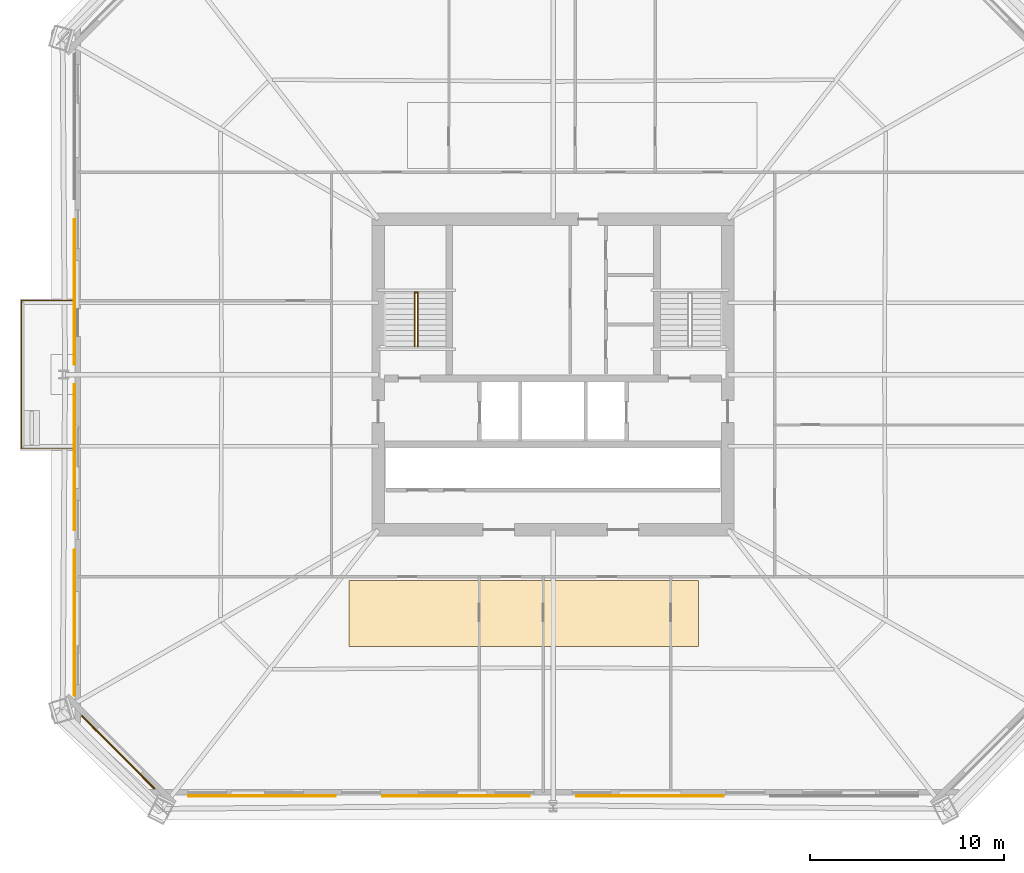
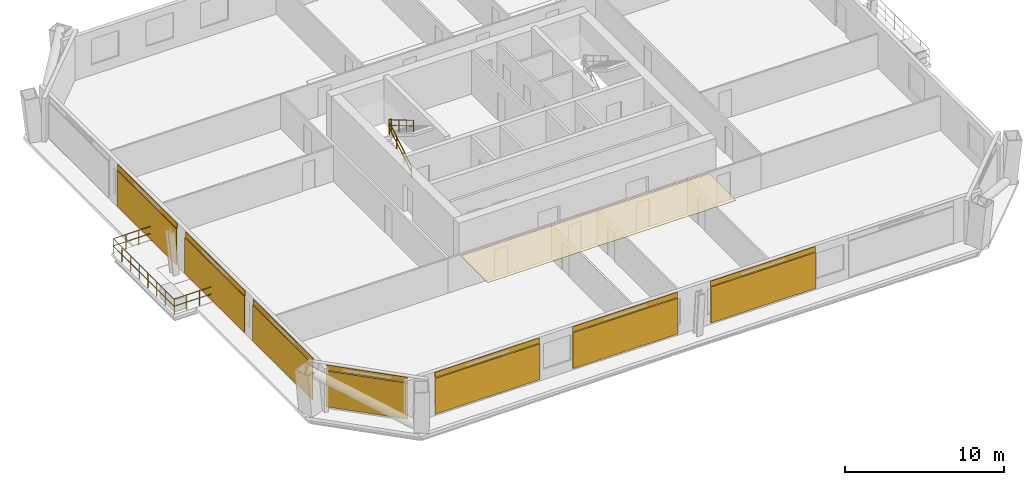
# One storey, part 9 of 11: 8 coverings, 7 shading devices, 4 railings.
"""IFC4 building model written with IfcOpenShell, lengths in metres."""

from ifc_helpers import new_model, si_unit, direction, frame, origin, origin_2d, place, context, subcontext, project, spatial, polyline, rectangle, circle, outline, extrude, material, layer, layer_set, type_object, element, save


model = new_model("IFC4")

# Units and contexts
model_context = context("Model", 3, precision=1e-05, world=origin(), true_north=direction((0.0, 1.0)))
body_context = subcontext(model_context, "Body", "Model", "MODEL_VIEW")
ifc_project = project(units=[si_unit("LENGTHUNIT", "METRE"), si_unit("AREAUNIT", "SQUARE_METRE"), si_unit("VOLUMEUNIT", "CUBIC_METRE"), si_unit("PLANEANGLEUNIT", "RADIAN"), si_unit("MASSUNIT", "GRAM", prefix="KILO")], contexts=[model_context])

# Site, building, storey
site_placement = place(None, origin())
site = spatial("IfcSite", under=ifc_project, at=site_placement, CompositionType="ELEMENT")
building_placement = place(site_placement, origin())
building = spatial("IfcBuilding", under=site, at=building_placement, Name="Caelvoria Tower", CompositionType="ELEMENT")
storey_placement = place(building_placement, frame((0.0, 0.0, 67.60009765625)))
storey = spatial("IfcBuildingStorey", under=building, at=storey_placement, Name="L17", CompositionType="ELEMENT", Elevation=67.60009765625)

# Railing
ifc_material_1 = material(Name="Bronze Anodised Aluminium and Stainless Steel", Category="steel")
railing_type_1 = type_object("IfcRailingType", Name="Exterior Terrace and Balcony Guardrail 1150", PredefinedType="GUARDRAIL", material=ifc_material_1)
railing_1_placement = place(storey_placement, frame((21.389892578125, 28.179931640625, 0.0)))
element("IfcRailing", 1, at=railing_1_placement, inside=storey, type_object=railing_type_1, Name="Tree Balcony Guardrail TB-L17-W", PredefinedType="GUARDRAIL", context=body_context, shape_type="SweptSolid", body=[
    extrude(circle(Radius=0.02392578125, at=origin_2d()), frame((0.0, 0.0, 1.1259765625), z_axis=(-1.0, 0.0, 0.0), x_axis=(0.0, -1.0, 0.0)), (0.0, 0.0, 1.0), 2.760009765625),
    extrude(circle(Radius=0.02392578125, at=origin_2d()), frame((0.0, 0.0, 0.574951171875), z_axis=(-1.0, 0.0, 0.0), x_axis=(0.0, -1.0, 0.0)), (0.0, 0.0, 1.0), 2.760009765625),
    extrude(circle(Radius=0.02392578125, at=origin_2d()), frame((-2.760009765625, 0.0, 1.1259765625), z_axis=(0.0, 1.0, 0.0), x_axis=(-1.0, 0.0, 0.0)), (0.0, 0.0, 1.0), 7.64013671875),
    extrude(circle(Radius=0.02392578125, at=origin_2d()), frame((-2.760009765625, 0.0, 0.574951171875), z_axis=(0.0, 1.0, 0.0), x_axis=(-1.0, 0.0, 0.0)), (0.0, 0.0, 1.0), 7.64013671875),
    extrude(circle(Radius=0.02392578125, at=origin_2d()), frame((-2.760009765625, 7.64013671875, 1.1259765625), z_axis=(1.0, 0.0, 0.0), x_axis=(0.0, 1.0, 0.0)), (0.0, 0.0, 1.0), 2.760009765625),
    extrude(circle(Radius=0.02392578125, at=origin_2d()), frame((-2.760009765625, 7.64013671875, 0.574951171875), z_axis=(1.0, 0.0, 0.0), x_axis=(0.0, 1.0, 0.0)), (0.0, 0.0, 1.0), 2.760009765625),
    extrude(circle(Radius=0.02099609375, at=origin_2d()), origin(), (0.0, 0.0, 1.0), 1.101806640625),
    extrude(circle(Radius=0.02099609375, at=origin_2d()), frame((-0.919921875, 0.0, 0.0)), (0.0, 0.0, 1.0), 1.101806640625),
    extrude(circle(Radius=0.02099609375, at=origin_2d()), frame((-1.840087890625, 0.0, 0.0)), (0.0, 0.0, 1.0), 1.101806640625),
    extrude(circle(Radius=0.02099609375, at=origin_2d()), frame((-2.760009765625, 0.0, 0.0)), (0.0, 0.0, 1.0), 1.101806640625),
    extrude(circle(Radius=0.02099609375, at=origin_2d()), frame((-2.760009765625, 1.091552734375, 0.0)), (0.0, 0.0, 1.0), 1.101806640625),
    extrude(circle(Radius=0.02099609375, at=origin_2d()), frame((-2.760009765625, 2.182861328125, 0.0)), (0.0, 0.0, 1.0), 1.101806640625),
    extrude(circle(Radius=0.02099609375, at=origin_2d()), frame((-2.760009765625, 3.2744140625, 0.0)), (0.0, 0.0, 1.0), 1.101806640625),
    extrude(circle(Radius=0.02099609375, at=origin_2d()), frame((-2.760009765625, 4.36572265625, 0.0)), (0.0, 0.0, 1.0), 1.101806640625),
    extrude(circle(Radius=0.02099609375, at=origin_2d()), frame((-2.760009765625, 5.457275390625, 0.0)), (0.0, 0.0, 1.0), 1.101806640625),
    extrude(circle(Radius=0.02099609375, at=origin_2d()), frame((-2.760009765625, 6.548583984375, 0.0)), (0.0, 0.0, 1.0), 1.101806640625),
    extrude(circle(Radius=0.02099609375, at=origin_2d()), frame((-2.760009765625, 7.64013671875, 0.0)), (0.0, 0.0, 1.0), 1.101806640625),
    extrude(circle(Radius=0.02099609375, at=origin_2d()), frame((-1.840087890625, 7.64013671875, 0.0)), (0.0, 0.0, 1.0), 1.101806640625),
    extrude(circle(Radius=0.02099609375, at=origin_2d()), frame((-0.919921875, 7.64013671875, 0.0)), (0.0, 0.0, 1.0), 1.101806640625),
    extrude(circle(Radius=0.02099609375, at=origin_2d()), frame((0.0, 7.64013671875, 0.0)), (0.0, 0.0, 1.0), 1.101806640625),
])

# Coverings
ifc_material_2 = material(Name="Acoustic Mineral Fibre Tile", Category="gypsum")
ifc_layer_1 = layer(ifc_material_2, 0.02490234375, Name="Acoustic Mineral Fibre Tile")
ifc_layer_set_1 = layer_set([ifc_layer_1], Name="Mineral-Fibre Acoustic Suspended Ceiling 25 - Acoustic Mineral Fibre Tile")
covering_type_1 = type_object("IfcCoveringType", Name="Mineral-Fibre Acoustic Suspended Ceiling 25", PredefinedType="CEILING", material=ifc_layer_set_1)
covering_1_placement = place(storey_placement, frame((0.0, 0.0, 2.635009765625)))
element("IfcCovering", 2, at=covering_1_placement, inside=storey, type_object=covering_type_1, Name="Suspended Acoustic Ceiling L17", PredefinedType="CEILING", context=body_context, shape_type="SweptSolid", body=[
    extrude(outline(polyline([(35.5, 18.0), (53.5, 18.0), (53.5, 21.39990234375), (35.5, 21.39990234375), (35.5, 18.0)])), origin(), (0.0, 0.0, 1.0), 0.02490234375),
])
ifc_material_3 = material(Name="Perforated Architectural Bronze Cladding Screen", Category="bronze")
ifc_layer_2 = layer(ifc_material_3, 0.0400390625, Name="Perforated Architectural Bronze Cladding Screen")
ifc_layer_set_2 = layer_set([ifc_layer_2], Name="Perforated Bronze Louvre Cladding Band 40 - Perforated Architectural Bronze Cladding Screen")
covering_type_2 = type_object("IfcCoveringType", Name="Perforated Bronze Louvre Cladding Band 40", PredefinedType="CLADDING", material=ifc_layer_set_2)
for number, where, z_axis, x_axis, name in (
    (3, (31.007568359375, 10.327880859375, 2.93994140625), (0.0, 0.0, 1.0), (1.0, 0.0, 0.0), "Perforated Bronze Screen Band L17-E0-00"),
    (4, (41.00244140625, 10.327880859375, 2.93994140625), (0.0, 0.0, 1.0), (1.0, 0.0, 0.0), "Perforated Bronze Screen Band L17-E0-01"),
    (5, (50.99755859375, 10.327880859375, 2.93994140625), (0.0, 0.0, 1.0), (1.0, 0.0, 0.0), "Perforated Bronze Screen Band L17-E0-02"),
):
    element("IfcCovering", number, at=place(storey_placement, frame(where, z_axis=z_axis, x_axis=x_axis)), inside=storey, type_object=covering_type_2, Name=name, PredefinedType="CLADDING", context=body_context, shape_type="SweptSolid", body=[
        extrude(rectangle(XDim=7.60009765625, YDim=0.0400390625, at=origin_2d()), origin(), (0.0, 0.0, 1.0), 0.39990234375),
    ])
for number, where, z_axis, x_axis, name in (
    (6, (21.3779296875, 36.260009765625, 2.93994140625), (0.0, 0.0, 1.0), (0.0, -1.0, 0.0), "Perforated Bronze Screen Band L17-E6-01"),
    (7, (21.3779296875, 27.739990234375, 2.93994140625), (0.0, 0.0, 1.0), (0.0, -1.0, 0.0), "Perforated Bronze Screen Band L17-E6-02"),
    (8, (21.3779296875, 19.219970703125, 2.93994140625), (0.0, 0.0, 1.0), (0.0, -1.0, 0.0), "Perforated Bronze Screen Band L17-E6-03"),
):
    element("IfcCovering", number, at=place(storey_placement, frame(where, z_axis=z_axis, x_axis=x_axis)), inside=storey, type_object=covering_type_2, Name=name, PredefinedType="CLADDING", context=body_context, shape_type="SweptSolid", body=[
        extrude(rectangle(XDim=7.49755859375, YDim=0.0400390625, at=origin_2d()), origin(), (0.0, 0.0, 1.0), 0.39990234375),
    ])
covering_2_placement = place(storey_placement, frame((23.618408203125, 12.568359375, 2.93994140625), z_axis=(0.0, 0.0, 1.0), x_axis=(0.707106781187, -0.707106781187, 0.0)))
element("IfcCovering", 9, at=covering_2_placement, inside=storey, type_object=covering_type_2, Name="Perforated Bronze Screen Band L17-E7-00", PredefinedType="CLADDING", context=body_context, shape_type="SweptSolid", body=[
    extrude(rectangle(XDim=5.309814453125, YDim=0.0400390625, at=origin_2d()), origin(), (0.0, 0.0, 1.0), 0.39990234375),
])

# Shading devices
ifc_material_4 = material(Name="Perforated Architectural Bronze Alloy Panel", Category="bronze")
ifc_layer_3 = layer(ifc_material_4, 0.044921875, Name="Perforated Architectural Bronze Alloy Panel")
ifc_layer_set_3 = layer_set([ifc_layer_3], Name="Perforated Bronze Solar Screen Panel SCREEN - Perforated Architectural Bronze Alloy Panel")
shading_device_type = type_object("IfcShadingDeviceType", Name="Perforated Bronze Solar Screen Panel SCREEN", PredefinedType="USERDEFINED", material=ifc_layer_set_3)
for number, where, z_axis, x_axis, name in (
    (10, (31.007568359375, 10.284912109375, 0.159912109375), (0.0, 0.0, 1.0), (1.0, 0.0, 0.0), "Perforated Bronze Solar Screen L17-E0-00"),
    (11, (41.00244140625, 10.284912109375, 0.159912109375), (0.0, 0.0, 1.0), (1.0, 0.0, 0.0), "Perforated Bronze Solar Screen L17-E0-01"),
    (12, (50.99755859375, 10.284912109375, 0.159912109375), (0.0, 0.0, 1.0), (1.0, 0.0, 0.0), "Perforated Bronze Solar Screen L17-E0-02"),
):
    element("IfcShadingDevice", number, at=place(storey_placement, frame(where, z_axis=z_axis, x_axis=x_axis)), inside=storey, type_object=shading_device_type, Name=name, ObjectType="SCREEN", PredefinedType="USERDEFINED", context=body_context, shape_type="SweptSolid", body=[
        extrude(rectangle(XDim=7.60009765625, YDim=0.044921875, at=origin_2d()), origin(), (0.0, 0.0, 1.0), 2.75),
    ])
for number, where, z_axis, x_axis, name in (
    (13, (21.3349609375, 36.260009765625, 0.159912109375), (0.0, 0.0, 1.0), (0.0, -1.0, 0.0), "Perforated Bronze Solar Screen L17-E6-01"),
    (14, (21.3349609375, 27.739990234375, 0.159912109375), (0.0, 0.0, 1.0), (0.0, -1.0, 0.0), "Perforated Bronze Solar Screen L17-E6-02"),
    (15, (21.3349609375, 19.219970703125, 0.159912109375), (0.0, 0.0, 1.0), (0.0, -1.0, 0.0), "Perforated Bronze Solar Screen L17-E6-03"),
):
    element("IfcShadingDevice", number, at=place(storey_placement, frame(where, z_axis=z_axis, x_axis=x_axis)), inside=storey, type_object=shading_device_type, Name=name, ObjectType="SCREEN", PredefinedType="USERDEFINED", context=body_context, shape_type="SweptSolid", body=[
        extrude(rectangle(XDim=7.49755859375, YDim=0.044921875, at=origin_2d()), origin(), (0.0, 0.0, 1.0), 2.75),
    ])
shading_device_placement = place(storey_placement, frame((23.587890625, 12.537841796875, 0.159912109375), z_axis=(0.0, 0.0, 1.0), x_axis=(0.707106781187, -0.707106781187, 0.0)))
element("IfcShadingDevice", 16, at=shading_device_placement, inside=storey, type_object=shading_device_type, Name="Perforated Bronze Solar Screen L17-E7-00", ObjectType="SCREEN", PredefinedType="USERDEFINED", context=body_context, shape_type="SweptSolid", body=[
    extrude(rectangle(XDim=5.309814453125, YDim=0.044921875, at=origin_2d()), origin(), (0.0, 0.0, 1.0), 2.75),
])

# Railings
ifc_material_5 = material(Name="Brushed Stainless Steel Tube", Category="steel")
railing_type_2 = type_object("IfcRailingType", Name="Stair Tubular Stainless Handrail 920", PredefinedType="HANDRAIL", material=ifc_material_5)
railing_2_placement = place(storey_placement, frame((38.8701171875, 33.449951171875, 0.16357421875)))
element("IfcRailing", 17, at=railing_2_placement, inside=storey, type_object=railing_type_2, Name="ST-01 Flight 1 Handrail L17", PredefinedType="HANDRAIL", context=body_context, shape_type="SweptSolid", body=[
    extrude(circle(Radius=0.02392578125, at=origin_2d()), frame((0.0, 0.0, 0.89599609375), z_axis=(0.0, 0.859385484447, 0.511328259656), x_axis=(-1.0, 0.0, 0.0)), (0.0, 0.0, 1.0), 3.199951171875),
    extrude(circle(Radius=0.02392578125, at=origin_2d()), frame((0.0, 0.0, 0.4599609375), z_axis=(0.0, 0.859385484447, 0.511328259656), x_axis=(-1.0, 0.0, 0.0)), (0.0, 0.0, 1.0), 3.199951171875),
    extrude(circle(Radius=0.02099609375, at=origin_2d()), origin(), (0.0, 0.0, 1.0), 0.871826171875),
    extrude(circle(Radius=0.02099609375, at=origin_2d()), frame((0.0, 0.916748046875, 0.54541015625)), (0.0, 0.0, 1.0), 0.871826171875),
    extrude(circle(Radius=0.02099609375, at=origin_2d()), frame((0.0, 1.833251953125, 1.0908203125)), (0.0, 0.0, 1.0), 0.871826171875),
    extrude(circle(Radius=0.02099609375, at=origin_2d()), frame((0.0, 2.75, 1.63623046875)), (0.0, 0.0, 1.0), 0.871826171875),
])
railing_3_placement = place(storey_placement, frame((39.030029296875, 36.199951171875, 1.963623046875)))
element("IfcRailing", 18, at=railing_3_placement, inside=storey, type_object=railing_type_2, Name="ST-01 Flight 2 Handrail L17", PredefinedType="HANDRAIL", context=body_context, shape_type="SweptSolid", body=[
    extrude(circle(Radius=0.02392578125, at=origin_2d()), frame((0.0, 0.0, 0.89599609375), z_axis=(0.0, -0.859385484447, 0.511328259656), x_axis=(1.0, 0.0, 0.0)), (0.0, 0.0, 1.0), 3.199951171875),
    extrude(circle(Radius=0.02392578125, at=origin_2d()), frame((0.0, 0.0, 0.4599609375), z_axis=(0.0, -0.859385484447, 0.511328259656), x_axis=(1.0, 0.0, 0.0)), (0.0, 0.0, 1.0), 3.199951171875),
    extrude(circle(Radius=0.02099609375, at=origin_2d()), origin(), (0.0, 0.0, 1.0), 0.871826171875),
    extrude(circle(Radius=0.02099609375, at=origin_2d()), frame((0.0, -0.916748046875, 0.54541015625)), (0.0, 0.0, 1.0), 0.871826171875),
    extrude(circle(Radius=0.02099609375, at=origin_2d()), frame((0.0, -1.833251953125, 1.0908203125)), (0.0, 0.0, 1.0), 0.871826171875),
    extrude(circle(Radius=0.02099609375, at=origin_2d()), frame((0.0, -2.75, 1.63623046875)), (0.0, 0.0, 1.0), 0.871826171875),
])
ifc_material_6 = material(Name="Brushed Stainless Steel Guardrail", Category="steel")
railing_type_3 = type_object("IfcRailingType", Name="Stair Well and Ramp Guardrail 1120", PredefinedType="GUARDRAIL", material=ifc_material_6)
railing_4_placement = place(storey_placement, frame((38.8701171875, 36.239990234375, 1.7998046875)))
element("IfcRailing", 19, at=railing_4_placement, inside=storey, type_object=railing_type_3, Name="ST-01 Half-Landing Well Guard L17", PredefinedType="GUARDRAIL", context=body_context, shape_type="SweptSolid", body=[
    extrude(circle(Radius=0.02392578125, at=origin_2d()), frame((0.0, 0.0, 1.09619140625), z_axis=(1.0, 0.0, 0.0), x_axis=(0.0, 1.0, 0.0)), (0.0, 0.0, 1.0), 0.159912109375),
    extrude(circle(Radius=0.02392578125, at=origin_2d()), frame((0.0, 0.0, 0.56005859375), z_axis=(1.0, 0.0, 0.0), x_axis=(0.0, 1.0, 0.0)), (0.0, 0.0, 1.0), 0.159912109375),
    extrude(circle(Radius=0.02099609375, at=origin_2d()), origin(), (0.0, 0.0, 1.0), 1.072021484375),
    extrude(circle(Radius=0.02099609375, at=origin_2d()), frame((0.159912109375, 0.0, 0.0)), (0.0, 0.0, 1.0), 1.072021484375),
])

save(model, "model.ifc")
